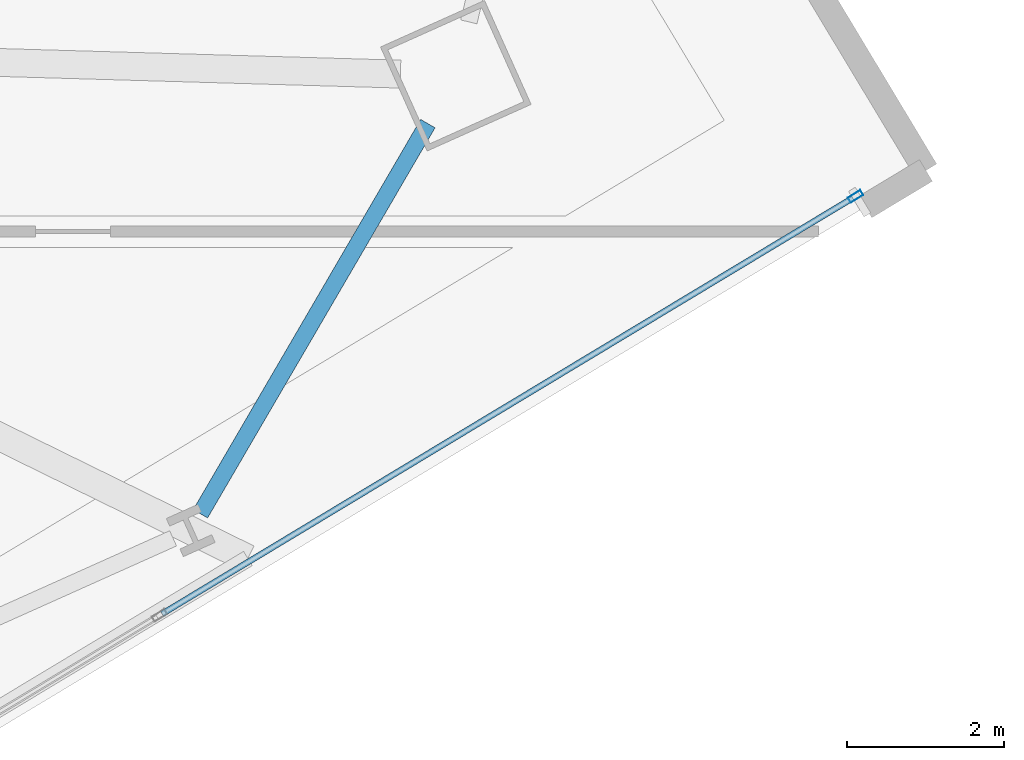
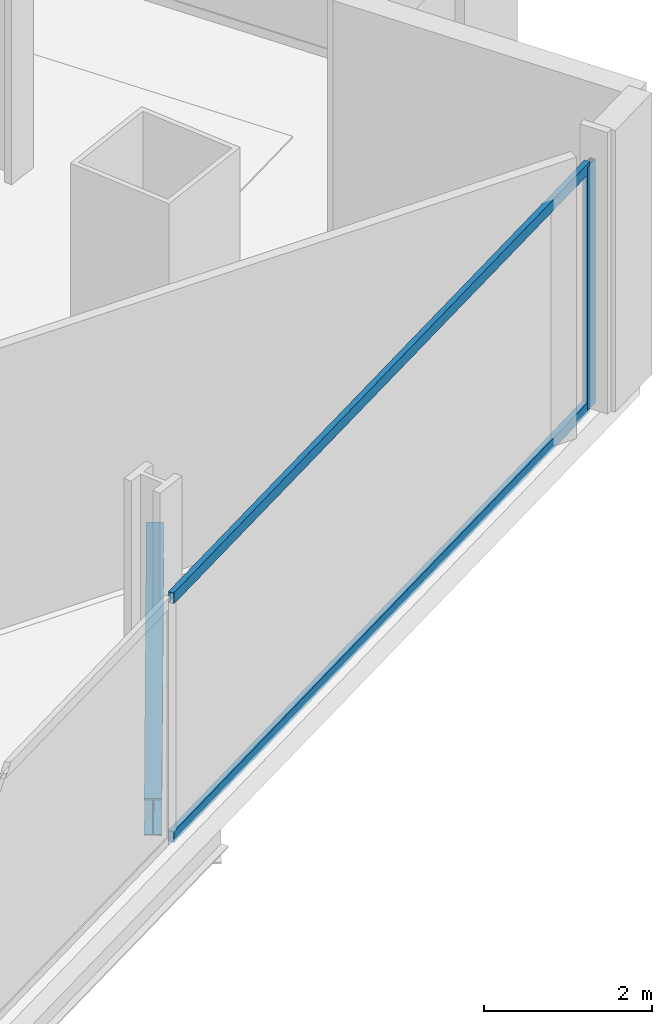
# One storey, part 9 of 30: 3 members, 1 beam, 1 element without a shape of its own.
"""IFC4 building model written with IfcOpenShell, lengths in metres."""

from ifc_helpers import new_model, si_unit, direction, frame, origin, origin_2d, place, context, subcontext, project, spatial, hollow_rectangle, i_section, extrude, material, material_profile, profile_set, type_object, element, aggregate, save


model = new_model("IFC4")

# Units and contexts
model_context = context("Model", 3, precision=1e-05, world=origin(), true_north=direction((0.0, 1.0)))
body_context = subcontext(model_context, "Body", "Model", "MODEL_VIEW")
ifc_project = project(units=[si_unit("LENGTHUNIT", "METRE"), si_unit("AREAUNIT", "SQUARE_METRE"), si_unit("VOLUMEUNIT", "CUBIC_METRE"), si_unit("PLANEANGLEUNIT", "RADIAN"), si_unit("MASSUNIT", "GRAM", prefix="KILO")], contexts=[model_context])

# Site, building, storey
site_placement = place(None, origin())
site = spatial("IfcSite", under=ifc_project, at=site_placement, CompositionType="ELEMENT")
building_placement = place(site_placement, origin())
building = spatial("IfcBuilding", under=site, at=building_placement, Name="Haldenkirk Collegiate Tower", CompositionType="ELEMENT")
storey_placement = place(building_placement, frame((0.0, 0.0, 131.699951171875)))
storey = spatial("IfcBuildingStorey", under=building, at=storey_placement, Name="L32", CompositionType="ELEMENT", Elevation=131.699951171875)

# Beam
ifc_material_1 = material(Name="Steel ASTM A992 Grade 50", Category="steel")
ifc_material_profile_1 = material_profile(ifc_material_1, i_section(OverallWidth=0.2119140625, OverallDepth=0.5439453125, WebThickness=0.01318359375, FlangeThickness=0.021240234375, at=origin_2d()), Name="W21X83")
ifc_profile_set_1 = profile_set([ifc_material_profile_1], Name="Steel ASTM A992 Grade 50")
beam_type = type_object("IfcBeamType", Name="BM-SPANDREL-W21X83", PredefinedType="SPANDREL", material=ifc_profile_set_1)
beam_placement = place(storey_placement, frame((57.86181640625, 11.958251953125, -0.6220703125), z_axis=(0.503667660107, 0.863897498643, 0.0), x_axis=(-0.863897498643, 0.503667660107, 0.0)))
element("IfcBeam", 1, at=beam_placement, inside=storey, type_object=beam_type, Name="L32 perimeter spandrel beam 04", PredefinedType="SPANDREL", context=body_context, shape_type="SweptSolid", body=[
    extrude(i_section(OverallWidth=0.2119140625, OverallDepth=0.5439453125, WebThickness=0.01318359375, FlangeThickness=0.021240234375, at=origin_2d()), origin(), (0.0, 0.0, 1.0), 5.747802734375),
])

# Curtain wall, members
ifc_material_2 = material(Name="Anodised architectural bronze aluminium", Category="aluminium")
curtain_wall_type = type_object("IfcCurtainWallType", Name="CW-SYS2-CONCAVE", PredefinedType="USERDEFINED", material=ifc_material_2)
curtain_wall_placement = place(storey_placement, origin())
curtain_wall = element("IfcCurtainWall", 2, at=curtain_wall_placement, inside=storey, type_object=curtain_wall_type, Name="L32 South concave recessed bronze-anodised curtain wall", ObjectType="UNITISED CURTAIN WALL", PredefinedType="USERDEFINED")
ifc_material_profile_2 = material_profile(ifc_material_2, hollow_rectangle(XDim=0.074951171875, YDim=0.18994140625, WallThickness=0.0048828125, at=origin_2d()), Name="CW-MUL-02")
ifc_profile_set_2 = profile_set([ifc_material_profile_2], Name="Anodised architectural bronze aluminium")
member_type_1 = type_object("IfcMemberType", Name="CW-MUL-02", PredefinedType="MULLION", material=ifc_profile_set_2)
member_1_placement = place(storey_placement, frame((66.198486328125, 15.997802734375, 0.0), z_axis=(0.0, 0.0, 1.0), x_axis=(0.515785392366, -0.856717823453, 0.0)))
member_1 = element("IfcMember", 3, at=member_1_placement, type_object=member_type_1, Name="CW-02 mullion 1", PredefinedType="MULLION", context=body_context, shape_type="SweptSolid", body=[
    extrude(hollow_rectangle(XDim=0.074951171875, YDim=0.18994140625, WallThickness=0.0048828125, at=origin_2d()), origin(), (0.0, 0.0, 1.0), 3.551025390625),
])
ifc_material_profile_3 = material_profile(ifc_material_2, hollow_rectangle(XDim=0.074951171875, YDim=0.159912109375, WallThickness=0.0048828125, at=origin_2d()), Name="CW-TRN-02")
ifc_profile_set_3 = profile_set([ifc_material_profile_3], Name="Anodised architectural bronze aluminium")
member_type_2 = type_object("IfcMemberType", Name="CW-TRN-02", PredefinedType="USERDEFINED", material=ifc_profile_set_3)
member_2_placement = place(storey_placement, frame((66.166259765625, 15.978515625, 0.03759765625), z_axis=(-0.856706874522, -0.515803578068, 0.0), x_axis=(0.515803578068, -0.856706874522, 0.0)))
member_2 = element("IfcMember", 4, at=member_2_placement, type_object=member_type_2, Name="CW-02 transom 1.1", ObjectType="TRANSOM", PredefinedType="USERDEFINED", context=body_context, shape_type="SweptSolid", body=[
    extrude(hollow_rectangle(XDim=0.074951171875, YDim=0.159912109375, WallThickness=0.0048828125, at=origin_2d()), origin(), (0.0, 0.0, 1.0), 10.262451171875),
])
member_3_placement = place(storey_placement, frame((66.166259765625, 15.978515625, 3.513427734375), z_axis=(-0.856706874522, -0.515803578068, 0.0), x_axis=(0.515803578068, -0.856706874522, 0.0)))
member_3 = element("IfcMember", 5, at=member_3_placement, type_object=member_type_2, Name="CW-02 transom 1.2", ObjectType="TRANSOM", PredefinedType="USERDEFINED", context=body_context, shape_type="SweptSolid", body=[
    extrude(hollow_rectangle(XDim=0.074951171875, YDim=0.159912109375, WallThickness=0.0048828125, at=origin_2d()), origin(), (0.0, 0.0, 1.0), 10.262451171875),
])
aggregate(curtain_wall, [member_1, member_2, member_3])

save(model, "model.ifc")
